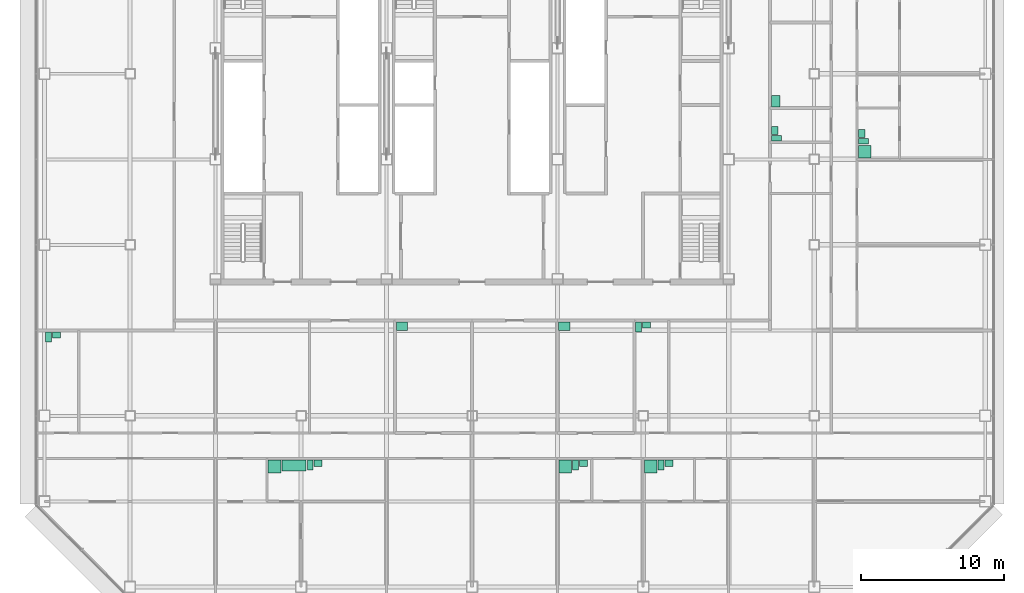
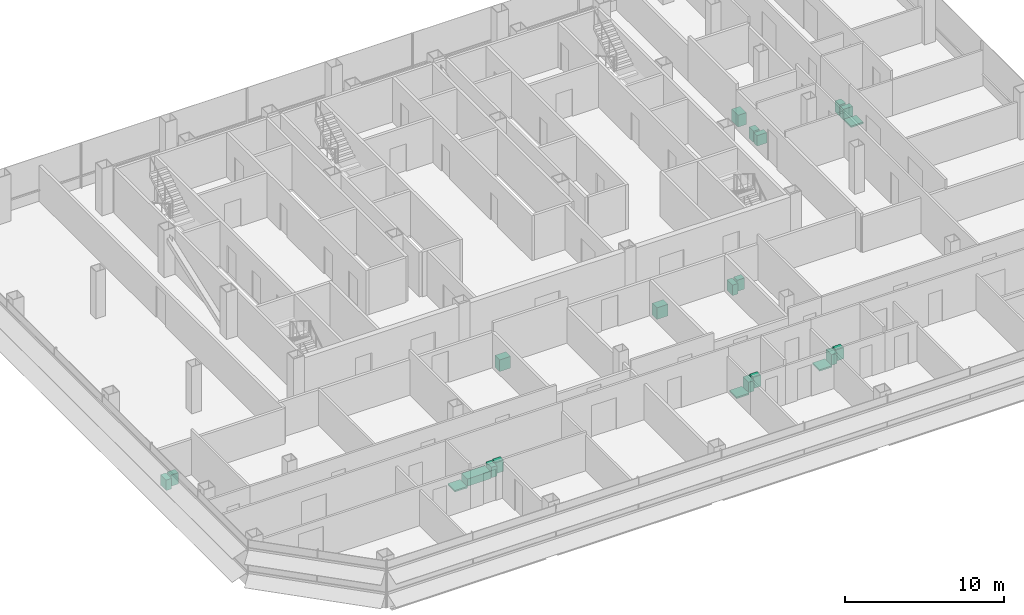
# One storey, part 25 of 25: 22 sanitary terminals.
"""IFC4 building model written with IfcOpenShell, lengths in metres."""

from ifc_helpers import new_model, si_unit, direction, frame, origin, origin_2d, place, context, subcontext, project, spatial, rectangle, extrude, element, save


model = new_model("IFC4")

# Units and contexts
model_context = context("Model", 3, precision=1e-05, world=origin(), true_north=direction((0.0, 1.0)))
body_context = subcontext(model_context, "Body", "Model", "MODEL_VIEW")
ifc_project = project(units=[si_unit("LENGTHUNIT", "METRE"), si_unit("AREAUNIT", "SQUARE_METRE"), si_unit("VOLUMEUNIT", "CUBIC_METRE"), si_unit("PLANEANGLEUNIT", "RADIAN"), si_unit("MASSUNIT", "GRAM", prefix="KILO")], contexts=[model_context])

# Site, building, storey
site_placement = place(None, origin())
site = spatial("IfcSite", under=ifc_project, at=site_placement, CompositionType="ELEMENT")
building_placement = place(site_placement, origin())
building = spatial("IfcBuilding", under=site, at=building_placement, Name="Sorahane Residences", CompositionType="ELEMENT")
storey_placement = place(building_placement, frame((0.0, 0.0, 126.800048828125)))
storey = spatial("IfcBuildingStorey", under=building, at=storey_placement, Name="L28", CompositionType="ELEMENT", Elevation=126.800048828125)

# Sanitary terminals
sanitary_terminal_1_placement = place(storey_placement, frame((10.1298828125, 8.449951171875, 0.0), z_axis=(0.0, 0.0, 1.0), x_axis=(1.0, 0.0, 0.0)))
element("IfcSanitaryTerminal", 1, at=sanitary_terminal_1_placement, inside=storey, Name="Shower tray En-suite bathroom 28A", PredefinedType="SHOWER", context=body_context, shape_type="SweptSolid", body=[
    extrude(rectangle(XDim=0.89990234375, YDim=0.89990234375, at=origin_2d()), origin(), (0.0, 0.0, 1.0), 0.1201171875),
])
sanitary_terminal_2_placement = place(storey_placement, frame((11.510009765625, 8.52490234375, 0.0), z_axis=(0.0, 0.0, 1.0), x_axis=(1.0, 0.0, 0.0)))
element("IfcSanitaryTerminal", 2, at=sanitary_terminal_2_placement, inside=storey, Name="Bath En-suite bathroom 28A", PredefinedType="BATH", context=body_context, shape_type="SweptSolid", body=[
    extrude(rectangle(XDim=1.699951171875, YDim=0.75, at=origin_2d()), origin(), (0.0, 0.0, 1.0), 0.56005859375),
])
sanitary_terminal_3_placement = place(storey_placement, frame((12.639892578125, 8.550048828125, 0.0), z_axis=(0.0, 0.0, 1.0), x_axis=(1.0, 0.0, 0.0)))
element("IfcSanitaryTerminal", 3, at=sanitary_terminal_3_placement, inside=storey, Name="WC pan En-suite bathroom 28A", PredefinedType="TOILETPAN", context=body_context, shape_type="SweptSolid", body=[
    extrude(rectangle(XDim=0.39990234375, YDim=0.699951171875, at=origin_2d()), origin(), (0.0, 0.0, 1.0), 0.800048828125),
])
sanitary_terminal_4_placement = place(storey_placement, frame((13.195068359375, 8.675048828125, 0.0), z_axis=(0.0, 0.0, 1.0), x_axis=(1.0, 0.0, 0.0)))
element("IfcSanitaryTerminal", 4, at=sanitary_terminal_4_placement, inside=storey, Name="Wash basin En-suite bathroom 28A", PredefinedType="WASHHANDBASIN", context=body_context, shape_type="SweptSolid", body=[
    extrude(rectangle(XDim=0.550048828125, YDim=0.449951171875, at=origin_2d()), origin(), (0.0, 0.0, 1.0), 0.85009765625),
])
sanitary_terminal_5_placement = place(storey_placement, frame((-5.719970703125, 17.550048828125, 0.0), z_axis=(0.0, 0.0, 1.0), x_axis=(1.0, 0.0, 0.0)))
element("IfcSanitaryTerminal", 5, at=sanitary_terminal_5_placement, inside=storey, Name="WC pan Powder room 28A", PredefinedType="TOILETPAN", context=body_context, shape_type="SweptSolid", body=[
    extrude(rectangle(XDim=0.39990234375, YDim=0.699951171875, at=origin_2d()), origin(), (0.0, 0.0, 1.0), 0.800048828125),
])
sanitary_terminal_6_placement = place(storey_placement, frame((-5.1650390625, 17.675048828125, 0.0), z_axis=(0.0, 0.0, 1.0), x_axis=(1.0, 0.0, 0.0)))
element("IfcSanitaryTerminal", 6, at=sanitary_terminal_6_placement, inside=storey, Name="Wash basin Powder room 28A", PredefinedType="WASHHANDBASIN", context=body_context, shape_type="SweptSolid", body=[
    extrude(rectangle(XDim=0.550048828125, YDim=0.449951171875, at=origin_2d()), origin(), (0.0, 0.0, 1.0), 0.85009765625),
])
sanitary_terminal_7_placement = place(storey_placement, frame((19.080078125, 18.300048828125, 0.0), z_axis=(0.0, 0.0, 1.0), x_axis=(1.0, 0.0, 0.0)))
element("IfcSanitaryTerminal", 7, at=sanitary_terminal_7_placement, inside=storey, Name="Kitchen sink Kitchen 28A", PredefinedType="SINK", context=body_context, shape_type="SweptSolid", body=[
    extrude(rectangle(XDim=0.800048828125, YDim=0.60009765625, at=origin_2d()), origin(), (0.0, 0.0, 1.0), 0.89990234375),
])
sanitary_terminal_8_placement = place(storey_placement, frame((30.530029296875, 8.449951171875, 0.0), z_axis=(0.0, 0.0, 1.0), x_axis=(1.0, 0.0, 0.0)))
element("IfcSanitaryTerminal", 8, at=sanitary_terminal_8_placement, inside=storey, Name="Shower tray En-suite bathroom 28B", PredefinedType="SHOWER", context=body_context, shape_type="SweptSolid", body=[
    extrude(rectangle(XDim=0.89990234375, YDim=0.89990234375, at=origin_2d()), origin(), (0.0, 0.0, 1.0), 0.1201171875),
])
sanitary_terminal_9_placement = place(storey_placement, frame((31.260009765625, 8.550048828125, 0.0), z_axis=(0.0, 0.0, 1.0), x_axis=(1.0, 0.0, 0.0)))
element("IfcSanitaryTerminal", 9, at=sanitary_terminal_9_placement, inside=storey, Name="WC pan En-suite bathroom 28B", PredefinedType="TOILETPAN", context=body_context, shape_type="SweptSolid", body=[
    extrude(rectangle(XDim=0.39990234375, YDim=0.699951171875, at=origin_2d()), origin(), (0.0, 0.0, 1.0), 0.800048828125),
])
sanitary_terminal_10_placement = place(storey_placement, frame((31.81494140625, 8.675048828125, 0.0), z_axis=(0.0, 0.0, 1.0), x_axis=(1.0, 0.0, 0.0)))
element("IfcSanitaryTerminal", 10, at=sanitary_terminal_10_placement, inside=storey, Name="Wash basin En-suite bathroom 28B", PredefinedType="WASHHANDBASIN", context=body_context, shape_type="SweptSolid", body=[
    extrude(rectangle(XDim=0.550048828125, YDim=0.449951171875, at=origin_2d()), origin(), (0.0, 0.0, 1.0), 0.85009765625),
])
sanitary_terminal_11_placement = place(storey_placement, frame((36.530029296875, 8.449951171875, 0.0), z_axis=(0.0, 0.0, 1.0), x_axis=(1.0, 0.0, 0.0)))
element("IfcSanitaryTerminal", 11, at=sanitary_terminal_11_placement, inside=storey, Name="Shower tray En-suite bathroom 28B-2", PredefinedType="SHOWER", context=body_context, shape_type="SweptSolid", body=[
    extrude(rectangle(XDim=0.89990234375, YDim=0.89990234375, at=origin_2d()), origin(), (0.0, 0.0, 1.0), 0.1201171875),
])
sanitary_terminal_12_placement = place(storey_placement, frame((37.260009765625, 8.550048828125, 0.0), z_axis=(0.0, 0.0, 1.0), x_axis=(1.0, 0.0, 0.0)))
element("IfcSanitaryTerminal", 12, at=sanitary_terminal_12_placement, inside=storey, Name="WC pan En-suite bathroom 28B-2", PredefinedType="TOILETPAN", context=body_context, shape_type="SweptSolid", body=[
    extrude(rectangle(XDim=0.39990234375, YDim=0.699951171875, at=origin_2d()), origin(), (0.0, 0.0, 1.0), 0.800048828125),
])
sanitary_terminal_13_placement = place(storey_placement, frame((37.81494140625, 8.675048828125, 0.0), z_axis=(0.0, 0.0, 1.0), x_axis=(1.0, 0.0, 0.0)))
element("IfcSanitaryTerminal", 13, at=sanitary_terminal_13_placement, inside=storey, Name="Wash basin En-suite bathroom 28B-2", PredefinedType="WASHHANDBASIN", context=body_context, shape_type="SweptSolid", body=[
    extrude(rectangle(XDim=0.550048828125, YDim=0.449951171875, at=origin_2d()), origin(), (0.0, 0.0, 1.0), 0.85009765625),
])
sanitary_terminal_14_placement = place(storey_placement, frame((30.47998046875, 18.300048828125, 0.0), z_axis=(0.0, 0.0, 1.0), x_axis=(1.0, 0.0, 0.0)))
element("IfcSanitaryTerminal", 14, at=sanitary_terminal_14_placement, inside=storey, Name="Kitchen sink Kitchen 28B", PredefinedType="SINK", context=body_context, shape_type="SweptSolid", body=[
    extrude(rectangle(XDim=0.800048828125, YDim=0.60009765625, at=origin_2d()), origin(), (0.0, 0.0, 1.0), 0.89990234375),
])
sanitary_terminal_15_placement = place(storey_placement, frame((35.679931640625, 18.25, 0.0), z_axis=(0.0, 0.0, 1.0), x_axis=(1.0, 0.0, 0.0)))
element("IfcSanitaryTerminal", 15, at=sanitary_terminal_15_placement, inside=storey, Name="WC pan Powder room 28B", PredefinedType="TOILETPAN", context=body_context, shape_type="SweptSolid", body=[
    extrude(rectangle(XDim=0.39990234375, YDim=0.699951171875, at=origin_2d()), origin(), (0.0, 0.0, 1.0), 0.800048828125),
])
sanitary_terminal_16_placement = place(storey_placement, frame((36.235107421875, 18.375, 0.0), z_axis=(0.0, 0.0, 1.0), x_axis=(1.0, 0.0, 0.0)))
element("IfcSanitaryTerminal", 16, at=sanitary_terminal_16_placement, inside=storey, Name="Wash basin Powder room 28B", PredefinedType="WASHHANDBASIN", context=body_context, shape_type="SweptSolid", body=[
    extrude(rectangle(XDim=0.550048828125, YDim=0.449951171875, at=origin_2d()), origin(), (0.0, 0.0, 1.0), 0.85009765625),
])
sanitary_terminal_17_placement = place(storey_placement, frame((51.550048828125, 30.530029296875, 0.0), z_axis=(0.0, 0.0, 1.0), x_axis=(0.0, 1.0, 0.0)))
element("IfcSanitaryTerminal", 17, at=sanitary_terminal_17_placement, inside=storey, Name="Shower tray En-suite bathroom 28C", PredefinedType="SHOWER", context=body_context, shape_type="SweptSolid", body=[
    extrude(rectangle(XDim=0.89990234375, YDim=0.89990234375, at=origin_2d()), origin(), (0.0, 0.0, 1.0), 0.1201171875),
])
sanitary_terminal_18_placement = place(storey_placement, frame((51.449951171875, 31.260009765625, 0.0), z_axis=(0.0, 0.0, 1.0), x_axis=(0.0, 1.0, 0.0)))
element("IfcSanitaryTerminal", 18, at=sanitary_terminal_18_placement, inside=storey, Name="WC pan En-suite bathroom 28C", PredefinedType="TOILETPAN", context=body_context, shape_type="SweptSolid", body=[
    extrude(rectangle(XDim=0.39990234375, YDim=0.699951171875, at=origin_2d()), origin(), (0.0, 0.0, 1.0), 0.800048828125),
])
sanitary_terminal_19_placement = place(storey_placement, frame((51.324951171875, 31.81494140625, 0.0), z_axis=(0.0, 0.0, 1.0), x_axis=(0.0, 1.0, 0.0)))
element("IfcSanitaryTerminal", 19, at=sanitary_terminal_19_placement, inside=storey, Name="Wash basin En-suite bathroom 28C", PredefinedType="WASHHANDBASIN", context=body_context, shape_type="SweptSolid", body=[
    extrude(rectangle(XDim=0.550048828125, YDim=0.449951171875, at=origin_2d()), origin(), (0.0, 0.0, 1.0), 0.85009765625),
])
sanitary_terminal_20_placement = place(storey_placement, frame((45.35009765625, 31.47998046875, 0.0), z_axis=(0.0, 0.0, 1.0), x_axis=(0.0, 1.0, 0.0)))
element("IfcSanitaryTerminal", 20, at=sanitary_terminal_20_placement, inside=storey, Name="WC pan Guest WC 28C", PredefinedType="TOILETPAN", context=body_context, shape_type="SweptSolid", body=[
    extrude(rectangle(XDim=0.39990234375, YDim=0.699951171875, at=origin_2d()), origin(), (0.0, 0.0, 1.0), 0.800048828125),
])
sanitary_terminal_21_placement = place(storey_placement, frame((45.22509765625, 32.034912109375, 0.0), z_axis=(0.0, 0.0, 1.0), x_axis=(0.0, 1.0, 0.0)))
element("IfcSanitaryTerminal", 21, at=sanitary_terminal_21_placement, inside=storey, Name="Wash basin Guest WC 28C", PredefinedType="WASHHANDBASIN", context=body_context, shape_type="SweptSolid", body=[
    extrude(rectangle(XDim=0.550048828125, YDim=0.449951171875, at=origin_2d()), origin(), (0.0, 0.0, 1.0), 0.85009765625),
])
sanitary_terminal_22_placement = place(storey_placement, frame((45.300048828125, 34.080078125, 0.0), z_axis=(0.0, 0.0, 1.0), x_axis=(0.0, 1.0, 0.0)))
element("IfcSanitaryTerminal", 22, at=sanitary_terminal_22_placement, inside=storey, Name="Kitchen sink Kitchen 28C", PredefinedType="SINK", context=body_context, shape_type="SweptSolid", body=[
    extrude(rectangle(XDim=0.800048828125, YDim=0.60009765625, at=origin_2d()), origin(), (0.0, 0.0, 1.0), 0.89990234375),
])

save(model, "model.ifc")
